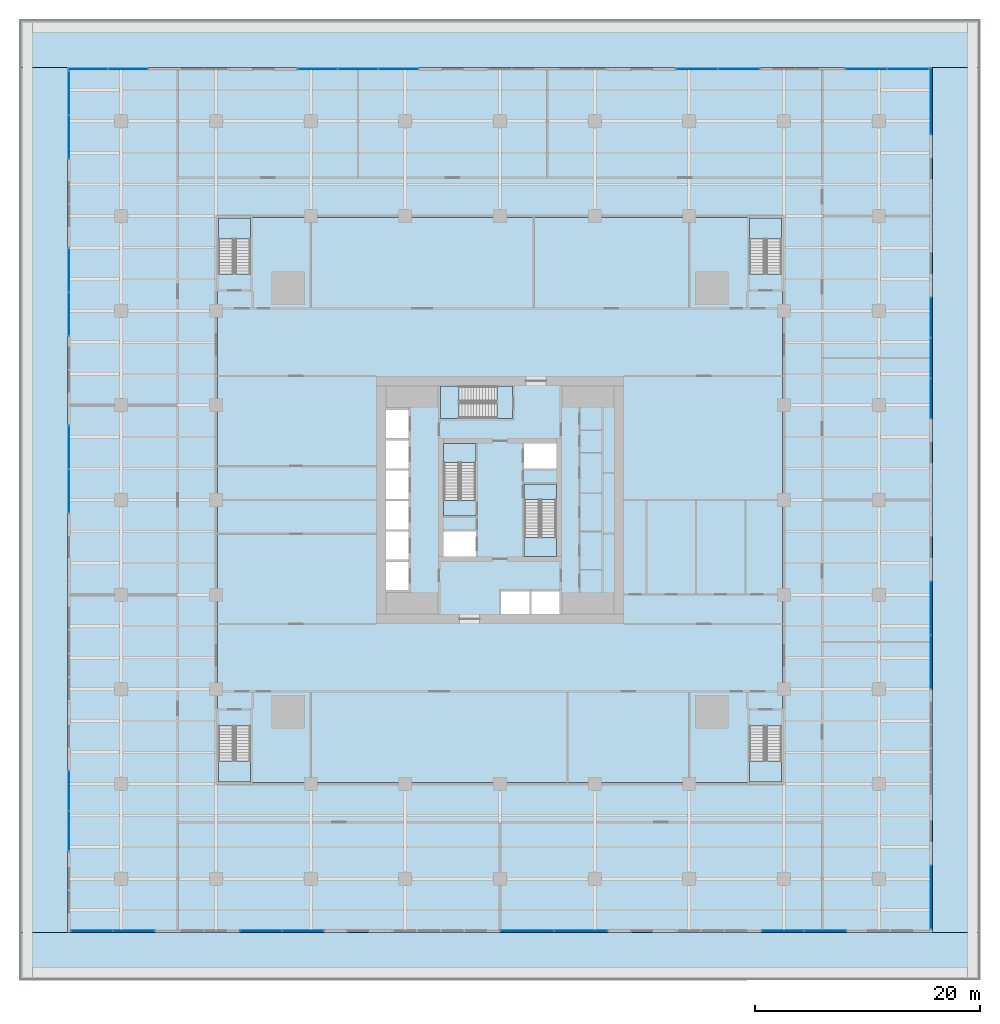
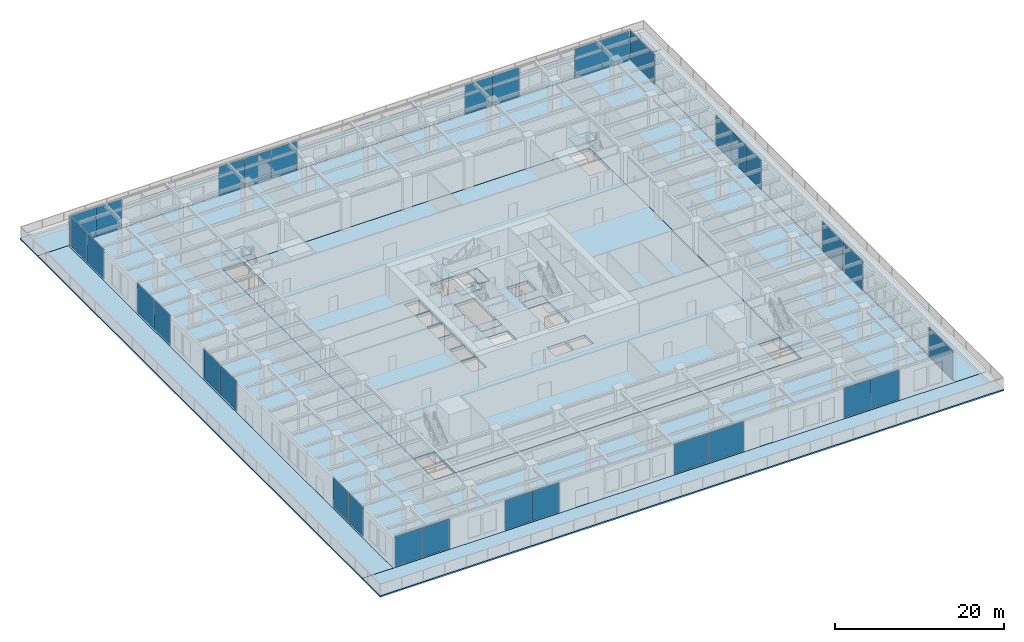
# One storey, part 15 of 32: 32 plates, 16 slabs, 23 elements without a shape of their own.
"""IFC4 building model written with IfcOpenShell, lengths in metres."""

from ifc_helpers import new_model, si_unit, direction, frame, origin, origin_2d, place, context, subcontext, project, spatial, polyline, rectangle, outline, extrude, material, layer, layer_set, type_object, element, aggregate, save


model = new_model("IFC4")

# Units and contexts
model_context = context("Model", 3, precision=1e-05, world=origin(), true_north=direction((0.0, 1.0)))
body_context = subcontext(model_context, "Body", "Model", "MODEL_VIEW")
ifc_project = project(units=[si_unit("LENGTHUNIT", "METRE"), si_unit("AREAUNIT", "SQUARE_METRE"), si_unit("VOLUMEUNIT", "CUBIC_METRE"), si_unit("PLANEANGLEUNIT", "RADIAN"), si_unit("MASSUNIT", "GRAM", prefix="KILO")], contexts=[model_context])

# Site, building, storey
site_placement = place(None, origin())
site = spatial("IfcSite", under=ifc_project, at=site_placement, CompositionType="ELEMENT")
building_placement = place(site_placement, origin())
building = spatial("IfcBuilding", under=site, at=building_placement, Name="Khepri Terraces", CompositionType="ELEMENT")
storey_placement = place(building_placement, frame((0.0, 0.0, 12.0)))
storey = spatial("IfcBuildingStorey", under=building, at=storey_placement, Name="L02", CompositionType="ELEMENT", Elevation=12.0)

# Curtain wall, plates
ifc_material_1 = material(Name="Anodised aluminium bronze curtain wall", Category="aluminium")
curtain_wall_type = type_object("IfcCurtainWallType", Name="CW-SYS2-PODIUM", PredefinedType="NOTDEFINED", material=ifc_material_1)
curtain_wall_1_placement = place(storey_placement, origin())
curtain_wall_1 = element("IfcCurtainWall", 1, at=curtain_wall_1_placement, inside=storey, type_object=curtain_wall_type, Name="Curtain wall CW2 L02 S", PredefinedType="NOTDEFINED")
ifc_material_2 = material(Name="Clear glass", Category="glass")
ifc_layer_1 = layer(ifc_material_2, 0.028076171875, Name="Clear glass", Category="glass")
ifc_layer_set_1 = layer_set([ifc_layer_1], Name="Clear glass")
plate_type = type_object("IfcPlateType", Name="CW-PANEL-VISION-28", PredefinedType="CURTAIN_PANEL", material=ifc_layer_set_1)
plate_1_placement = place(storey_placement, frame((-36.2099609375, -38.25, 0.06005859375), z_axis=(0.0, 0.0, 1.0), x_axis=(1.0, 0.0, 0.0)))
plate_1 = element("IfcPlate", 2, at=plate_1_placement, type_object=plate_type, Name="CW2 panel 1.1", PredefinedType="CURTAIN_PANEL", context=body_context, shape_type="SweptSolid", body=[
    extrude(rectangle(XDim=3.659912109375, YDim=0.028076171875, at=origin_2d()), origin(), (0.0, 0.0, 1.0), 4.260009765625),
])
plate_2_placement = place(storey_placement, frame((-32.489990234375, -38.25, 0.06005859375), z_axis=(0.0, 0.0, 1.0), x_axis=(1.0, 0.0, 0.0)))
plate_2 = element("IfcPlate", 3, at=plate_2_placement, type_object=plate_type, Name="CW2 panel 2.1", PredefinedType="CURTAIN_PANEL", context=body_context, shape_type="SweptSolid", body=[
    extrude(rectangle(XDim=3.659912109375, YDim=0.028076171875, at=origin_2d()), origin(), (0.0, 0.0, 1.0), 4.260009765625),
])
aggregate(curtain_wall_1, [plate_1, plate_2])

curtain_wall_2_placement = place(storey_placement, origin())
curtain_wall_2 = element("IfcCurtainWall", 4, at=curtain_wall_2_placement, inside=storey, type_object=curtain_wall_type, Name="Curtain wall CW2 L02 S", PredefinedType="NOTDEFINED")
plate_3_placement = place(storey_placement, frame((-21.2099609375, -38.25, 0.06005859375), z_axis=(0.0, 0.0, 1.0), x_axis=(1.0, 0.0, 0.0)))
plate_3 = element("IfcPlate", 5, at=plate_3_placement, type_object=plate_type, Name="CW2 panel 1.1", PredefinedType="CURTAIN_PANEL", context=body_context, shape_type="SweptSolid", body=[
    extrude(rectangle(XDim=3.659912109375, YDim=0.028076171875, at=origin_2d()), origin(), (0.0, 0.0, 1.0), 4.260009765625),
])
plate_4_placement = place(storey_placement, frame((-17.489990234375, -38.25, 0.06005859375), z_axis=(0.0, 0.0, 1.0), x_axis=(1.0, 0.0, 0.0)))
plate_4 = element("IfcPlate", 6, at=plate_4_placement, type_object=plate_type, Name="CW2 panel 2.1", PredefinedType="CURTAIN_PANEL", context=body_context, shape_type="SweptSolid", body=[
    extrude(rectangle(XDim=3.659912109375, YDim=0.028076171875, at=origin_2d()), origin(), (0.0, 0.0, 1.0), 4.260009765625),
])
aggregate(curtain_wall_2, [plate_3, plate_4])

curtain_wall_3_placement = place(storey_placement, origin())
curtain_wall_3 = element("IfcCurtainWall", 7, at=curtain_wall_3_placement, inside=storey, type_object=curtain_wall_type, Name="Curtain wall CW2 L02 S", PredefinedType="NOTDEFINED")
plate_5_placement = place(storey_placement, frame((2.4150390625, -38.25, 0.06005859375), z_axis=(0.0, 0.0, 1.0), x_axis=(1.0, 0.0, 0.0)))
plate_5 = element("IfcPlate", 8, at=plate_5_placement, type_object=plate_type, Name="CW2 panel 1.1", PredefinedType="CURTAIN_PANEL", context=body_context, shape_type="SweptSolid", body=[
    extrude(rectangle(XDim=4.7099609375, YDim=0.028076171875, at=origin_2d()), origin(), (0.0, 0.0, 1.0), 4.260009765625),
])
plate_6_placement = place(storey_placement, frame((7.18505859375, -38.25, 0.06005859375), z_axis=(0.0, 0.0, 1.0), x_axis=(1.0, 0.0, 0.0)))
plate_6 = element("IfcPlate", 9, at=plate_6_placement, type_object=plate_type, Name="CW2 panel 2.1", PredefinedType="CURTAIN_PANEL", context=body_context, shape_type="SweptSolid", body=[
    extrude(rectangle(XDim=4.7099609375, YDim=0.028076171875, at=origin_2d()), origin(), (0.0, 0.0, 1.0), 4.260009765625),
])
aggregate(curtain_wall_3, [plate_5, plate_6])

curtain_wall_4_placement = place(storey_placement, origin())
curtain_wall_4 = element("IfcCurtainWall", 10, at=curtain_wall_4_placement, inside=storey, type_object=curtain_wall_type, Name="Curtain wall CW2 L02 S", PredefinedType="NOTDEFINED")
plate_7_placement = place(storey_placement, frame((25.114990234375, -38.25, 0.06005859375), z_axis=(0.0, 0.0, 1.0), x_axis=(1.0, 0.0, 0.0)))
plate_7 = element("IfcPlate", 11, at=plate_7_placement, type_object=plate_type, Name="CW2 panel 1.1", PredefinedType="CURTAIN_PANEL", context=body_context, shape_type="SweptSolid", body=[
    extrude(rectangle(XDim=3.7099609375, YDim=0.028076171875, at=origin_2d()), origin(), (0.0, 0.0, 1.0), 4.260009765625),
])
plate_8_placement = place(storey_placement, frame((28.885009765625, -38.25, 0.06005859375), z_axis=(0.0, 0.0, 1.0), x_axis=(1.0, 0.0, 0.0)))
plate_8 = element("IfcPlate", 12, at=plate_8_placement, type_object=plate_type, Name="CW2 panel 2.1", PredefinedType="CURTAIN_PANEL", context=body_context, shape_type="SweptSolid", body=[
    extrude(rectangle(XDim=3.7099609375, YDim=0.028076171875, at=origin_2d()), origin(), (0.0, 0.0, 1.0), 4.260009765625),
])
aggregate(curtain_wall_4, [plate_7, plate_8])

# Curtain wall, plate
curtain_wall_5_placement = place(storey_placement, origin())
curtain_wall_5 = element("IfcCurtainWall", 13, at=curtain_wall_5_placement, inside=storey, type_object=curtain_wall_type, Name="Curtain wall CW2 L02 E", PredefinedType="NOTDEFINED")
plate_9_placement = place(storey_placement, frame((38.25, -35.25, 0.06005859375), z_axis=(0.0, 0.0, 1.0), x_axis=(0.0, 1.0, 0.0)))
plate_9 = element("IfcPlate", 14, at=plate_9_placement, type_object=plate_type, Name="CW2 panel 1.1", PredefinedType="CURTAIN_PANEL", context=body_context, shape_type="SweptSolid", body=[
    extrude(rectangle(XDim=5.580078125, YDim=0.028076171875, at=origin_2d()), origin(), (0.0, 0.0, 1.0), 4.260009765625),
])
aggregate(curtain_wall_5, [plate_9])

# Curtain wall, plates
curtain_wall_6_placement = place(storey_placement, origin())
curtain_wall_6 = element("IfcCurtainWall", 15, at=curtain_wall_6_placement, inside=storey, type_object=curtain_wall_type, Name="Curtain wall CW2 L02 E", PredefinedType="NOTDEFINED")
plate_10_placement = place(storey_placement, frame((38.25, -14.385009765625, 0.06005859375), z_axis=(0.0, 0.0, 1.0), x_axis=(0.0, 1.0, 0.0)))
plate_10 = element("IfcPlate", 16, at=plate_10_placement, type_object=plate_type, Name="CW2 panel 1.1", PredefinedType="CURTAIN_PANEL", context=body_context, shape_type="SweptSolid", body=[
    extrude(rectangle(XDim=4.7099609375, YDim=0.028076171875, at=origin_2d()), origin(), (0.0, 0.0, 1.0), 4.260009765625),
])
plate_11_placement = place(storey_placement, frame((38.25, -9.614990234375, 0.06005859375), z_axis=(0.0, 0.0, 1.0), x_axis=(0.0, 1.0, 0.0)))
plate_11 = element("IfcPlate", 17, at=plate_11_placement, type_object=plate_type, Name="CW2 panel 2.1", PredefinedType="CURTAIN_PANEL", context=body_context, shape_type="SweptSolid", body=[
    extrude(rectangle(XDim=4.7099609375, YDim=0.028076171875, at=origin_2d()), origin(), (0.0, 0.0, 1.0), 4.260009765625),
])
aggregate(curtain_wall_6, [plate_10, plate_11])

curtain_wall_7_placement = place(storey_placement, origin())
curtain_wall_7 = element("IfcCurtainWall", 18, at=curtain_wall_7_placement, inside=storey, type_object=curtain_wall_type, Name="Curtain wall CW2 L02 E", PredefinedType="NOTDEFINED")
plate_12_placement = place(storey_placement, frame((38.25, 9.014892578125, 0.06005859375), z_axis=(0.0, 0.0, 1.0), x_axis=(0.0, 1.0, 0.0)))
plate_12 = element("IfcPlate", 19, at=plate_12_placement, type_object=plate_type, Name="CW2 panel 1.1", PredefinedType="CURTAIN_PANEL", context=body_context, shape_type="SweptSolid", body=[
    extrude(rectangle(XDim=3.510009765625, YDim=0.028076171875, at=origin_2d()), origin(), (0.0, 0.0, 1.0), 4.260009765625),
])
plate_13_placement = place(storey_placement, frame((38.25, 12.60009765625, 0.06005859375), z_axis=(0.0, 0.0, 1.0), x_axis=(0.0, 1.0, 0.0)))
plate_13 = element("IfcPlate", 20, at=plate_13_placement, type_object=plate_type, Name="CW2 panel 2.1", PredefinedType="CURTAIN_PANEL", context=body_context, shape_type="SweptSolid", body=[
    extrude(rectangle(XDim=3.5400390625, YDim=0.028076171875, at=origin_2d()), origin(), (0.0, 0.0, 1.0), 4.260009765625),
])
plate_14_placement = place(storey_placement, frame((38.25, 16.18505859375, 0.06005859375), z_axis=(0.0, 0.0, 1.0), x_axis=(0.0, 1.0, 0.0)))
plate_14 = element("IfcPlate", 21, at=plate_14_placement, type_object=plate_type, Name="CW2 panel 3.1", PredefinedType="CURTAIN_PANEL", context=body_context, shape_type="SweptSolid", body=[
    extrude(rectangle(XDim=3.510009765625, YDim=0.028076171875, at=origin_2d()), origin(), (0.0, 0.0, 1.0), 4.260009765625),
])
aggregate(curtain_wall_7, [plate_12, plate_13, plate_14])

# Curtain wall, plate
curtain_wall_8_placement = place(storey_placement, origin())
curtain_wall_8 = element("IfcCurtainWall", 22, at=curtain_wall_8_placement, inside=storey, type_object=curtain_wall_type, Name="Curtain wall CW2 L02 E", PredefinedType="NOTDEFINED")
plate_15_placement = place(storey_placement, frame((38.25, 35.39990234375, 0.06005859375), z_axis=(0.0, 0.0, 1.0), x_axis=(0.0, 1.0, 0.0)))
plate_15 = element("IfcPlate", 23, at=plate_15_placement, type_object=plate_type, Name="CW2 panel 1.1", PredefinedType="CURTAIN_PANEL", context=body_context, shape_type="SweptSolid", body=[
    extrude(rectangle(XDim=5.8798828125, YDim=0.028076171875, at=origin_2d()), origin(), (0.0, 0.0, 1.0), 4.260009765625),
])
aggregate(curtain_wall_8, [plate_15])

# Curtain wall, plates
curtain_wall_9_placement = place(storey_placement, origin())
curtain_wall_9 = element("IfcCurtainWall", 24, at=curtain_wall_9_placement, inside=storey, type_object=curtain_wall_type, Name="Curtain wall CW2 L02 N", PredefinedType="NOTDEFINED")
plate_16_placement = place(storey_placement, frame((36.2099609375, 38.25, 0.06005859375), z_axis=(0.0, 0.0, 1.0), x_axis=(-1.0, 0.0, 0.0)))
plate_16 = element("IfcPlate", 25, at=plate_16_placement, type_object=plate_type, Name="CW2 panel 1.1", PredefinedType="CURTAIN_PANEL", context=body_context, shape_type="SweptSolid", body=[
    extrude(rectangle(XDim=3.659912109375, YDim=0.028076171875, at=origin_2d()), origin(), (0.0, 0.0, 1.0), 4.260009765625),
])
plate_17_placement = place(storey_placement, frame((32.489990234375, 38.25, 0.06005859375), z_axis=(0.0, 0.0, 1.0), x_axis=(-1.0, 0.0, 0.0)))
plate_17 = element("IfcPlate", 26, at=plate_17_placement, type_object=plate_type, Name="CW2 panel 2.1", PredefinedType="CURTAIN_PANEL", context=body_context, shape_type="SweptSolid", body=[
    extrude(rectangle(XDim=3.659912109375, YDim=0.028076171875, at=origin_2d()), origin(), (0.0, 0.0, 1.0), 4.260009765625),
])
aggregate(curtain_wall_9, [plate_16, plate_17])

curtain_wall_10_placement = place(storey_placement, origin())
curtain_wall_10 = element("IfcCurtainWall", 27, at=curtain_wall_10_placement, inside=storey, type_object=curtain_wall_type, Name="Curtain wall CW2 L02 N", PredefinedType="NOTDEFINED")
plate_18_placement = place(storey_placement, frame((21.2099609375, 38.25, 0.06005859375), z_axis=(0.0, 0.0, 1.0), x_axis=(-1.0, 0.0, 0.0)))
plate_18 = element("IfcPlate", 28, at=plate_18_placement, type_object=plate_type, Name="CW2 panel 1.1", PredefinedType="CURTAIN_PANEL", context=body_context, shape_type="SweptSolid", body=[
    extrude(rectangle(XDim=3.659912109375, YDim=0.028076171875, at=origin_2d()), origin(), (0.0, 0.0, 1.0), 4.260009765625),
])
plate_19_placement = place(storey_placement, frame((17.489990234375, 38.25, 0.06005859375), z_axis=(0.0, 0.0, 1.0), x_axis=(-1.0, 0.0, 0.0)))
plate_19 = element("IfcPlate", 29, at=plate_19_placement, type_object=plate_type, Name="CW2 panel 2.1", PredefinedType="CURTAIN_PANEL", context=body_context, shape_type="SweptSolid", body=[
    extrude(rectangle(XDim=3.659912109375, YDim=0.028076171875, at=origin_2d()), origin(), (0.0, 0.0, 1.0), 4.260009765625),
])
aggregate(curtain_wall_10, [plate_18, plate_19])

curtain_wall_11_placement = place(storey_placement, origin())
curtain_wall_11 = element("IfcCurtainWall", 30, at=curtain_wall_11_placement, inside=storey, type_object=curtain_wall_type, Name="Curtain wall CW2 L02 N", PredefinedType="NOTDEFINED")
plate_20_placement = place(storey_placement, frame((-9.014892578125, 38.25, 0.06005859375), z_axis=(0.0, 0.0, 1.0), x_axis=(-1.0, 0.0, 0.0)))
plate_20 = element("IfcPlate", 31, at=plate_20_placement, type_object=plate_type, Name="CW2 panel 1.1", PredefinedType="CURTAIN_PANEL", context=body_context, shape_type="SweptSolid", body=[
    extrude(rectangle(XDim=3.510009765625, YDim=0.028076171875, at=origin_2d()), origin(), (0.0, 0.0, 1.0), 4.260009765625),
])
plate_21_placement = place(storey_placement, frame((-12.60009765625, 38.25, 0.06005859375), z_axis=(0.0, 0.0, 1.0), x_axis=(-1.0, 0.0, 0.0)))
plate_21 = element("IfcPlate", 32, at=plate_21_placement, type_object=plate_type, Name="CW2 panel 2.1", PredefinedType="CURTAIN_PANEL", context=body_context, shape_type="SweptSolid", body=[
    extrude(rectangle(XDim=3.5400390625, YDim=0.028076171875, at=origin_2d()), origin(), (0.0, 0.0, 1.0), 4.260009765625),
])
plate_22_placement = place(storey_placement, frame((-16.18505859375, 38.25, 0.06005859375), z_axis=(0.0, 0.0, 1.0), x_axis=(-1.0, 0.0, 0.0)))
plate_22 = element("IfcPlate", 33, at=plate_22_placement, type_object=plate_type, Name="CW2 panel 3.1", PredefinedType="CURTAIN_PANEL", context=body_context, shape_type="SweptSolid", body=[
    extrude(rectangle(XDim=3.510009765625, YDim=0.028076171875, at=origin_2d()), origin(), (0.0, 0.0, 1.0), 4.260009765625),
])
aggregate(curtain_wall_11, [plate_20, plate_21, plate_22])

curtain_wall_12_placement = place(storey_placement, origin())
curtain_wall_12 = element("IfcCurtainWall", 34, at=curtain_wall_12_placement, inside=storey, type_object=curtain_wall_type, Name="Curtain wall CW2 L02 N", PredefinedType="NOTDEFINED")
plate_23_placement = place(storey_placement, frame((-33.014892578125, 38.25, 0.06005859375), z_axis=(0.0, 0.0, 1.0), x_axis=(-1.0, 0.0, 0.0)))
plate_23 = element("IfcPlate", 35, at=plate_23_placement, type_object=plate_type, Name="CW2 panel 1.1", PredefinedType="CURTAIN_PANEL", context=body_context, shape_type="SweptSolid", body=[
    extrude(rectangle(XDim=3.510009765625, YDim=0.028076171875, at=origin_2d()), origin(), (0.0, 0.0, 1.0), 4.260009765625),
])
plate_24_placement = place(storey_placement, frame((-36.5849609375, 38.25, 0.06005859375), z_axis=(0.0, 0.0, 1.0), x_axis=(-1.0, 0.0, 0.0)))
plate_24 = element("IfcPlate", 36, at=plate_24_placement, type_object=plate_type, Name="CW2 panel 2.1", PredefinedType="CURTAIN_PANEL", context=body_context, shape_type="SweptSolid", body=[
    extrude(rectangle(XDim=3.510009765625, YDim=0.028076171875, at=origin_2d()), origin(), (0.0, 0.0, 1.0), 4.260009765625),
])
aggregate(curtain_wall_12, [plate_23, plate_24])

curtain_wall_13_placement = place(storey_placement, origin())
curtain_wall_13 = element("IfcCurtainWall", 37, at=curtain_wall_13_placement, inside=storey, type_object=curtain_wall_type, Name="Curtain wall CW2 L02 W", PredefinedType="NOTDEFINED")
plate_25_placement = place(storey_placement, frame((-38.25, 36.1201171875, 0.06005859375), z_axis=(0.0, 0.0, 1.0), x_axis=(0.0, -1.0, 0.0)))
plate_25 = element("IfcPlate", 38, at=plate_25_placement, type_object=plate_type, Name="CW2 panel 1.1", PredefinedType="CURTAIN_PANEL", context=body_context, shape_type="SweptSolid", body=[
    extrude(rectangle(XDim=3.840087890625, YDim=0.028076171875, at=origin_2d()), origin(), (0.0, 0.0, 1.0), 4.260009765625),
])
plate_26_placement = place(storey_placement, frame((-38.25, 32.219970703125, 0.06005859375), z_axis=(0.0, 0.0, 1.0), x_axis=(0.0, -1.0, 0.0)))
plate_26 = element("IfcPlate", 39, at=plate_26_placement, type_object=plate_type, Name="CW2 panel 2.1", PredefinedType="CURTAIN_PANEL", context=body_context, shape_type="SweptSolid", body=[
    extrude(rectangle(XDim=3.840087890625, YDim=0.028076171875, at=origin_2d()), origin(), (0.0, 0.0, 1.0), 4.260009765625),
])
aggregate(curtain_wall_13, [plate_25, plate_26])

curtain_wall_14_placement = place(storey_placement, origin())
curtain_wall_14 = element("IfcCurtainWall", 40, at=curtain_wall_14_placement, inside=storey, type_object=curtain_wall_type, Name="Curtain wall CW2 L02 W", PredefinedType="NOTDEFINED")
plate_27_placement = place(storey_placement, frame((-38.25, 20.39990234375, 0.06005859375), z_axis=(0.0, 0.0, 1.0), x_axis=(0.0, -1.0, 0.0)))
plate_27 = element("IfcPlate", 41, at=plate_27_placement, type_object=plate_type, Name="CW2 panel 1.1", PredefinedType="CURTAIN_PANEL", context=body_context, shape_type="SweptSolid", body=[
    extrude(rectangle(XDim=3.840087890625, YDim=0.028076171875, at=origin_2d()), origin(), (0.0, 0.0, 1.0), 4.260009765625),
])
plate_28_placement = place(storey_placement, frame((-38.25, 16.5, 0.06005859375), z_axis=(0.0, 0.0, 1.0), x_axis=(0.0, -1.0, 0.0)))
plate_28 = element("IfcPlate", 42, at=plate_28_placement, type_object=plate_type, Name="CW2 panel 2.1", PredefinedType="CURTAIN_PANEL", context=body_context, shape_type="SweptSolid", body=[
    extrude(rectangle(XDim=3.840087890625, YDim=0.028076171875, at=origin_2d()), origin(), (0.0, 0.0, 1.0), 4.260009765625),
])
aggregate(curtain_wall_14, [plate_27, plate_28])

curtain_wall_15_placement = place(storey_placement, origin())
curtain_wall_15 = element("IfcCurtainWall", 43, at=curtain_wall_15_placement, inside=storey, type_object=curtain_wall_type, Name="Curtain wall CW2 L02 W", PredefinedType="NOTDEFINED")
plate_29_placement = place(storey_placement, frame((-38.25, 4.679931640625, 0.06005859375), z_axis=(0.0, 0.0, 1.0), x_axis=(0.0, -1.0, 0.0)))
plate_29 = element("IfcPlate", 44, at=plate_29_placement, type_object=plate_type, Name="CW2 panel 1.1", PredefinedType="CURTAIN_PANEL", context=body_context, shape_type="SweptSolid", body=[
    extrude(rectangle(XDim=3.840087890625, YDim=0.028076171875, at=origin_2d()), origin(), (0.0, 0.0, 1.0), 4.260009765625),
])
plate_30_placement = place(storey_placement, frame((-38.25, 0.780029296875, 0.06005859375), z_axis=(0.0, 0.0, 1.0), x_axis=(0.0, -1.0, 0.0)))
plate_30 = element("IfcPlate", 45, at=plate_30_placement, type_object=plate_type, Name="CW2 panel 2.1", PredefinedType="CURTAIN_PANEL", context=body_context, shape_type="SweptSolid", body=[
    extrude(rectangle(XDim=3.840087890625, YDim=0.028076171875, at=origin_2d()), origin(), (0.0, 0.0, 1.0), 4.260009765625),
])
aggregate(curtain_wall_15, [plate_29, plate_30])

curtain_wall_16_placement = place(storey_placement, origin())
curtain_wall_16 = element("IfcCurtainWall", 46, at=curtain_wall_16_placement, inside=storey, type_object=curtain_wall_type, Name="Curtain wall CW2 L02 W", PredefinedType="NOTDEFINED")
plate_31_placement = place(storey_placement, frame((-38.25, -25.81494140625, 0.06005859375), z_axis=(0.0, 0.0, 1.0), x_axis=(0.0, -1.0, 0.0)))
plate_31 = element("IfcPlate", 47, at=plate_31_placement, type_object=plate_type, Name="CW2 panel 1.1", PredefinedType="CURTAIN_PANEL", context=body_context, shape_type="SweptSolid", body=[
    extrude(rectangle(XDim=3.510009765625, YDim=0.028076171875, at=origin_2d()), origin(), (0.0, 0.0, 1.0), 4.260009765625),
])
plate_32_placement = place(storey_placement, frame((-38.25, -29.385009765625, 0.06005859375), z_axis=(0.0, 0.0, 1.0), x_axis=(0.0, -1.0, 0.0)))
plate_32 = element("IfcPlate", 48, at=plate_32_placement, type_object=plate_type, Name="CW2 panel 2.1", PredefinedType="CURTAIN_PANEL", context=body_context, shape_type="SweptSolid", body=[
    extrude(rectangle(XDim=3.510009765625, YDim=0.028076171875, at=origin_2d()), origin(), (0.0, 0.0, 1.0), 4.260009765625),
])
aggregate(curtain_wall_16, [plate_31, plate_32])

# Slabs
ifc_material_3 = material(Name="Concrete C35/45", Category="concrete")
ifc_layer_2 = layer(ifc_material_3, 0.199951171875, Name="Concrete C35/45", Category="concrete")
ifc_layer_set_2 = layer_set([ifc_layer_2], Name="Concrete C35/45")
slab_type_1 = type_object("IfcSlabType", Name="Composite floor slab 200", PredefinedType="FLOOR", material=ifc_layer_set_2)
slab_1_placement = place(storey_placement, frame((0.0, 0.0, -0.199951171875)))
element("IfcSlab", 49, at=slab_1_placement, inside=storey, type_object=slab_type_1, Name="Floor slab C01 L02", PredefinedType="FLOOR", context=body_context, shape_type="SweptSolid", body=[
    extrude(outline(polyline([(-38.39990234375, -38.39990234375), (-38.39990234375, 38.39990234375), (38.39990234375, 38.39990234375), (38.39990234375, -38.39990234375), (-38.39990234375, -38.39990234375)]), holes=[polyline([(25.050048828125, 25.050048828125), (-25.050048828125, 25.050048828125), (-25.050048828125, -25.050048828125), (25.050048828125, -25.050048828125), (25.050048828125, 25.050048828125)])]), origin(), (0.0, 0.0, 1.0), 0.199951171875),
])
ifc_layer_3 = layer(ifc_material_3, 0.199951171875, Name="Concrete C35/45", Category="concrete")
ifc_layer_set_3 = layer_set([ifc_layer_3], Name="Concrete C35/45")
slab_type_2 = type_object("IfcSlabType", Name="Composite terrace slab 200", PredefinedType="ROOF", material=ifc_layer_set_3)
slab_2_placement = place(storey_placement, frame((0.0, 0.0, -0.199951171875)))
element("IfcSlab", 50, at=slab_2_placement, inside=storey, type_object=slab_type_2, Name="Terrace slab L02-podium-0", PredefinedType="ROOF", context=body_context, shape_type="SweptSolid", body=[
    extrude(outline(polyline([(42.60009765625, -42.60009765625), (-42.60009765625, -42.60009765625), (-42.60009765625, -38.39990234375), (-38.39990234375, -38.39990234375), (38.39990234375, -38.39990234375), (42.60009765625, -38.39990234375), (42.60009765625, -42.60009765625)])), origin(), (0.0, 0.0, 1.0), 0.199951171875),
])
slab_3_placement = place(storey_placement, frame((0.0, 0.0, -0.199951171875)))
element("IfcSlab", 51, at=slab_3_placement, inside=storey, type_object=slab_type_2, Name="Terrace slab L02-podium-1", PredefinedType="ROOF", context=body_context, shape_type="SweptSolid", body=[
    extrude(outline(polyline([(42.60009765625, -38.39990234375), (38.39990234375, -38.39990234375), (38.39990234375, 38.39990234375), (42.60009765625, 38.39990234375), (42.60009765625, -38.39990234375)])), origin(), (0.0, 0.0, 1.0), 0.199951171875),
])
slab_4_placement = place(storey_placement, frame((0.0, 0.0, -0.199951171875)))
element("IfcSlab", 52, at=slab_4_placement, inside=storey, type_object=slab_type_2, Name="Terrace slab L02-podium-2", PredefinedType="ROOF", context=body_context, shape_type="SweptSolid", body=[
    extrude(outline(polyline([(42.60009765625, 42.60009765625), (42.60009765625, 38.39990234375), (38.39990234375, 38.39990234375), (-38.39990234375, 38.39990234375), (-42.60009765625, 38.39990234375), (-42.60009765625, 42.60009765625), (42.60009765625, 42.60009765625)])), origin(), (0.0, 0.0, 1.0), 0.199951171875),
])
slab_5_placement = place(storey_placement, frame((0.0, 0.0, -0.199951171875)))
element("IfcSlab", 53, at=slab_5_placement, inside=storey, type_object=slab_type_2, Name="Terrace slab L02-podium-3", PredefinedType="ROOF", context=body_context, shape_type="SweptSolid", body=[
    extrude(outline(polyline([(-42.60009765625, 38.39990234375), (-38.39990234375, 38.39990234375), (-38.39990234375, -38.39990234375), (-42.60009765625, -38.39990234375), (-42.60009765625, 38.39990234375)])), origin(), (0.0, 0.0, 1.0), 0.199951171875),
])
ifc_material_4 = material(Name="Concrete C40/50", Category="concrete")
ifc_layer_4 = layer(ifc_material_4, 0.419921875, Name="Concrete C40/50", Category="concrete")
ifc_layer_set_4 = layer_set([ifc_layer_4], Name="Concrete C40/50")
slab_type_3 = type_object("IfcSlabType", Name="Flat plate 420", PredefinedType="FLOOR", material=ifc_layer_set_4)
slab_6_placement = place(storey_placement, frame((0.0, 0.0, -0.419921875)))
element("IfcSlab", 54, at=slab_6_placement, inside=storey, type_object=slab_type_3, Name="Floor slab F01 L02", PredefinedType="FLOOR", context=body_context, shape_type="SweptSolid", body=[
    extrude(outline(polyline([(-25.050048828125, 25.050048828125), (25.050048828125, 25.050048828125), (25.050048828125, -25.050048828125), (-25.050048828125, -25.050048828125), (-25.050048828125, 25.050048828125)]), holes=[polyline([(5.0, 5.0), (2.14990234375, 5.0), (2.14990234375, 2.800048828125), (5.0, 2.800048828125), (5.0, 5.0)]), polyline([(-2.14990234375, -5.0), (-2.14990234375, -2.800048828125), (-5.0, -2.800048828125), (-5.0, -5.0), (-2.14990234375, -5.0)]), polyline([(-10.10009765625, -8.0), (-8.10009765625, -8.0), (-8.10009765625, -5.5), (-10.10009765625, -5.5), (-10.10009765625, -8.0)]), polyline([(-10.10009765625, -2.800048828125), (-10.10009765625, -5.300048828125), (-8.10009765625, -5.300048828125), (-8.10009765625, -2.800048828125), (-10.10009765625, -2.800048828125)]), polyline([(-8.10009765625, -0.10009765625), (-10.10009765625, -0.10009765625), (-10.10009765625, -2.60009765625), (-8.10009765625, -2.60009765625), (-8.10009765625, -0.10009765625)]), polyline([(-8.10009765625, 0.10009765625), (-8.10009765625, 2.60009765625), (-10.10009765625, 2.60009765625), (-10.10009765625, 0.10009765625), (-8.10009765625, 0.10009765625)]), polyline([(-10.10009765625, 2.800048828125), (-8.10009765625, 2.800048828125), (-8.10009765625, 5.300048828125), (-10.10009765625, 5.300048828125), (-10.10009765625, 2.800048828125)]), polyline([(-10.10009765625, 8.0), (-10.10009765625, 5.5), (-8.10009765625, 5.5), (-8.10009765625, 8.0), (-10.10009765625, 8.0)]), polyline([(2.60009765625, -8.10009765625), (0.10009765625, -8.10009765625), (0.10009765625, -10.10009765625), (2.60009765625, -10.10009765625), (2.60009765625, -8.10009765625)]), polyline([(5.300048828125, -10.10009765625), (5.300048828125, -8.10009765625), (2.800048828125, -8.10009765625), (2.800048828125, -10.10009765625), (5.300048828125, -10.10009765625)]), polyline([(-5.0, -1.39990234375), (-2.14990234375, -1.39990234375), (-2.14990234375, 5.0), (-5.0, 5.0), (-5.0, -1.39990234375)]), polyline([(5.0, -5.0), (5.0, 1.39990234375), (2.14990234375, 1.39990234375), (2.14990234375, -5.0), (5.0, -5.0)]), polyline([(-5.300048828125, 10.10009765625), (-5.300048828125, 7.25), (1.10009765625, 7.25), (1.10009765625, 10.10009765625), (-5.300048828125, 10.10009765625)]), polyline([(22.14990234375, 25.0400390625), (22.14990234375, 20.050537109375), (25.0, 20.050537109375), (25.0, 25.0400390625), (22.14990234375, 25.0400390625)]), polyline([(-22.14990234375, 25.0400390625), (-25.0, 25.0400390625), (-25.0, 20.050537109375), (-22.14990234375, 20.050537109375), (-22.14990234375, 25.0400390625)]), polyline([(22.14990234375, -20.050537109375), (22.14990234375, -25.0400390625), (25.0, -25.0400390625), (25.0, -20.050537109375), (22.14990234375, -20.050537109375)]), polyline([(-22.14990234375, -20.050537109375), (-25.0, -20.050537109375), (-25.0, -25.0400390625), (-22.14990234375, -25.0400390625), (-22.14990234375, -20.050537109375)])]), origin(), (0.0, 0.0, 1.0), 0.419921875),
])

# Stair, slab
stair_type_1 = type_object("IfcStairType", Name="ST-POD", PredefinedType="HALF_TURN_STAIR", material=ifc_material_4)
stair_1_placement = place(storey_placement, origin())
stair_1 = element("IfcStair", 55, at=stair_1_placement, inside=storey, type_object=stair_type_1, Name="L02 Exit Stair PS-1", PredefinedType="HALF_TURN_STAIR")
ifc_layer_5 = layer(ifc_material_4, 0.199951171875, Name="Concrete C40/50", Category="concrete")
ifc_layer_set_5 = layer_set([ifc_layer_5], Name="Concrete C40/50")
slab_type_4 = type_object("IfcSlabType", Name="SL-POD", PredefinedType="LANDING", material=ifc_layer_set_5)
slab_7_placement = place(storey_placement, frame((0.0, 0.0, 2.199951171875)))
slab_7 = element("IfcSlab", 56, at=slab_7_placement, type_object=slab_type_4, Name="PS-1 landing 1", PredefinedType="LANDING", context=body_context, shape_type="SweptSolid", body=[
    extrude(outline(polyline([(25.0, 23.169921875), (25.0, 25.0400390625), (22.14990234375, 25.0400390625), (22.14990234375, 23.169921875), (25.0, 23.169921875)])), origin(), (0.0, 0.0, 1.0), 0.199951171875),
])
aggregate(stair_1, [slab_7])

stair_2_placement = place(storey_placement, origin())
stair_2 = element("IfcStair", 57, at=stair_2_placement, inside=storey, type_object=stair_type_1, Name="L02 Exit Stair PS-2", PredefinedType="HALF_TURN_STAIR")
slab_8_placement = place(storey_placement, frame((0.0, 0.0, 2.199951171875)))
slab_8 = element("IfcSlab", 58, at=slab_8_placement, type_object=slab_type_4, Name="PS-2 landing 1", PredefinedType="LANDING", context=body_context, shape_type="SweptSolid", body=[
    extrude(outline(polyline([(-22.14990234375, 23.169921875), (-22.14990234375, 25.0400390625), (-25.0, 25.0400390625), (-25.0, 23.169921875), (-22.14990234375, 23.169921875)])), origin(), (0.0, 0.0, 1.0), 0.199951171875),
])
aggregate(stair_2, [slab_8])

stair_3_placement = place(storey_placement, origin())
stair_3 = element("IfcStair", 59, at=stair_3_placement, inside=storey, type_object=stair_type_1, Name="L02 Exit Stair PS-3", PredefinedType="HALF_TURN_STAIR")
slab_9_placement = place(storey_placement, frame((0.0, 0.0, 2.199951171875)))
slab_9 = element("IfcSlab", 60, at=slab_9_placement, type_object=slab_type_4, Name="PS-3 landing 1", PredefinedType="LANDING", context=body_context, shape_type="SweptSolid", body=[
    extrude(outline(polyline([(22.14990234375, -23.169921875), (22.14990234375, -25.0400390625), (25.0, -25.0400390625), (25.0, -23.169921875), (22.14990234375, -23.169921875)])), origin(), (0.0, 0.0, 1.0), 0.199951171875),
])
aggregate(stair_3, [slab_9])

stair_4_placement = place(storey_placement, origin())
stair_4 = element("IfcStair", 61, at=stair_4_placement, inside=storey, type_object=stair_type_1, Name="L02 Exit Stair PS-4", PredefinedType="HALF_TURN_STAIR")
slab_10_placement = place(storey_placement, frame((0.0, 0.0, 2.199951171875)))
slab_10 = element("IfcSlab", 62, at=slab_10_placement, type_object=slab_type_4, Name="PS-4 landing 1", PredefinedType="LANDING", context=body_context, shape_type="SweptSolid", body=[
    extrude(outline(polyline([(-25.0, -23.169921875), (-25.0, -25.0400390625), (-22.14990234375, -25.0400390625), (-22.14990234375, -23.169921875), (-25.0, -23.169921875)])), origin(), (0.0, 0.0, 1.0), 0.199951171875),
])
aggregate(stair_4, [slab_10])

# Stair, slabs
stair_type_2 = type_object("IfcStairType", Name="STAIR-RC-28R", PredefinedType="HALF_TURN_STAIR", material=ifc_material_4)
stair_5_placement = place(storey_placement, origin())
stair_5 = element("IfcStair", 63, at=stair_5_placement, inside=storey, type_object=stair_type_2, Name="L02 Exit Stair ST-1", PredefinedType="HALF_TURN_STAIR")
ifc_layer_6 = layer(ifc_material_4, 0.199951171875, Name="Concrete C40/50", Category="concrete")
ifc_layer_set_6 = layer_set([ifc_layer_6], Name="Concrete C40/50")
slab_type_5 = type_object("IfcSlabType", Name="SLB-CORE-LANDING", PredefinedType="LANDING", material=ifc_layer_set_6)
slab_11_placement = place(storey_placement, frame((0.0, 0.0, -0.199951171875)))
slab_11 = element("IfcSlab", 64, at=slab_11_placement, type_object=slab_type_5, Name="ST-1 landing 1", PredefinedType="LANDING", context=body_context, shape_type="SweptSolid", body=[
    extrude(outline(polyline([(-2.14990234375, -1.39990234375), (-2.14990234375, -0.050048828125), (-5.0, -0.050048828125), (-5.0, -1.39990234375), (-2.14990234375, -1.39990234375)])), origin(), (0.0, 0.0, 1.0), 0.199951171875),
])
slab_12_placement = place(storey_placement, frame((0.0, 0.0, 2.199951171875)))
slab_12 = element("IfcSlab", 65, at=slab_12_placement, type_object=slab_type_5, Name="ST-1 landing 2", PredefinedType="LANDING", context=body_context, shape_type="SweptSolid", body=[
    extrude(outline(polyline([(-2.14990234375, 3.330078125), (-2.14990234375, 5.0), (-5.0, 5.0), (-5.0, 3.330078125), (-2.14990234375, 3.330078125)])), origin(), (0.0, 0.0, 1.0), 0.199951171875),
])
aggregate(stair_5, [slab_11, slab_12])

stair_6_placement = place(storey_placement, origin())
stair_6 = element("IfcStair", 66, at=stair_6_placement, inside=storey, type_object=stair_type_2, Name="L02 Exit Stair ST-2", PredefinedType="HALF_TURN_STAIR")
slab_13_placement = place(storey_placement, frame((0.0, 0.0, -0.199951171875)))
slab_13 = element("IfcSlab", 67, at=slab_13_placement, type_object=slab_type_5, Name="ST-2 landing 1", PredefinedType="LANDING", context=body_context, shape_type="SweptSolid", body=[
    extrude(outline(polyline([(2.14990234375, 1.39990234375), (2.14990234375, 0.050048828125), (5.0, 0.050048828125), (5.0, 1.39990234375), (2.14990234375, 1.39990234375)])), origin(), (0.0, 0.0, 1.0), 0.199951171875),
])
slab_14_placement = place(storey_placement, frame((0.0, 0.0, 2.199951171875)))
slab_14 = element("IfcSlab", 68, at=slab_14_placement, type_object=slab_type_5, Name="ST-2 landing 2", PredefinedType="LANDING", context=body_context, shape_type="SweptSolid", body=[
    extrude(outline(polyline([(2.14990234375, -3.330078125), (2.14990234375, -5.0), (5.0, -5.0), (5.0, -3.330078125), (2.14990234375, -3.330078125)])), origin(), (0.0, 0.0, 1.0), 0.199951171875),
])
aggregate(stair_6, [slab_13, slab_14])

stair_7_placement = place(storey_placement, origin())
stair_7 = element("IfcStair", 69, at=stair_7_placement, inside=storey, type_object=stair_type_2, Name="L02 Exit Stair ST-3", PredefinedType="HALF_TURN_STAIR")
slab_15_placement = place(storey_placement, frame((0.0, 0.0, -0.199951171875)))
slab_15 = element("IfcSlab", 70, at=slab_15_placement, type_object=slab_type_5, Name="ST-3 landing 1", PredefinedType="LANDING", context=body_context, shape_type="SweptSolid", body=[
    extrude(outline(polyline([(1.10009765625, 10.10009765625), (-0.25, 10.10009765625), (-0.25, 7.25), (1.10009765625, 7.25), (1.10009765625, 10.10009765625)])), origin(), (0.0, 0.0, 1.0), 0.199951171875),
])
slab_16_placement = place(storey_placement, frame((0.0, 0.0, 2.199951171875)))
slab_16 = element("IfcSlab", 71, at=slab_16_placement, type_object=slab_type_5, Name="ST-3 landing 2", PredefinedType="LANDING", context=body_context, shape_type="SweptSolid", body=[
    extrude(outline(polyline([(-3.6298828125, 10.10009765625), (-5.300048828125, 10.10009765625), (-5.300048828125, 7.25), (-3.6298828125, 7.25), (-3.6298828125, 10.10009765625)])), origin(), (0.0, 0.0, 1.0), 0.199951171875),
])
aggregate(stair_7, [slab_15, slab_16])

save(model, "model.ifc")
